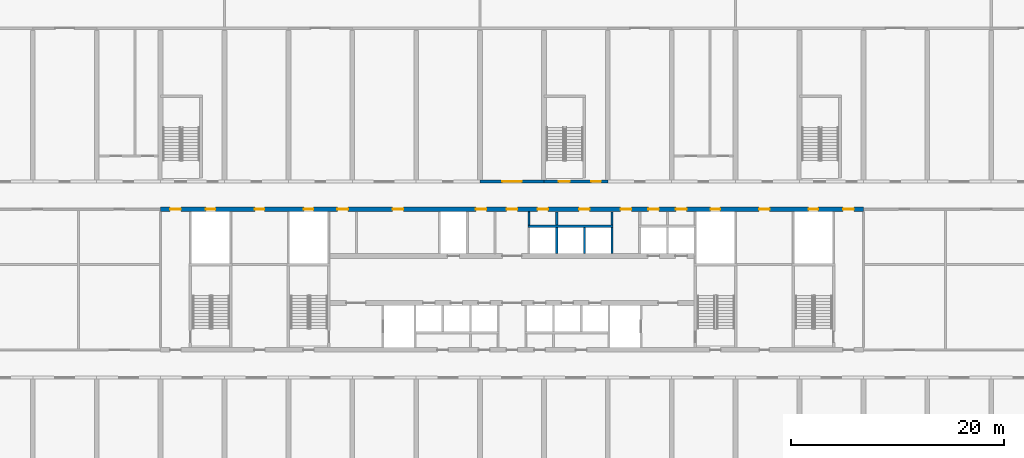
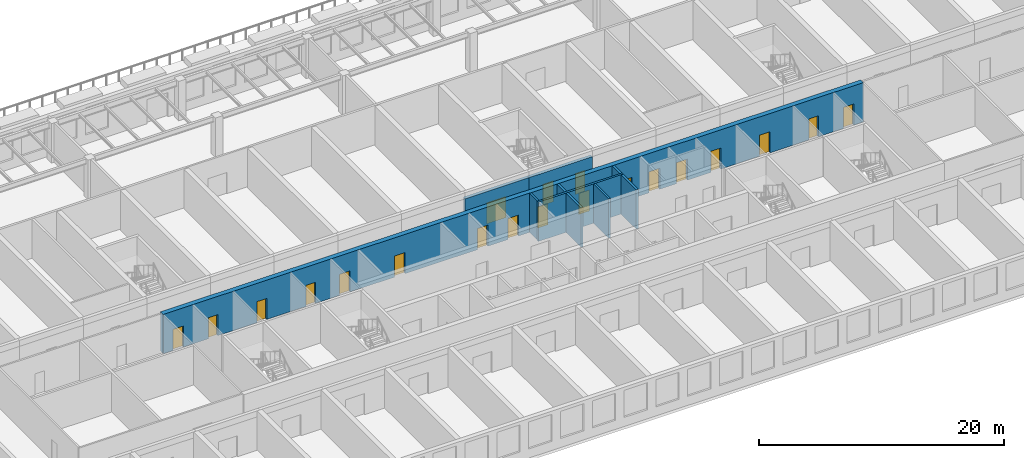
# One storey, part 7 of 16: 20 doors, 10 walls, 20 openings.
"""IFC4 building model written with IfcOpenShell, lengths in metres."""

from ifc_helpers import new_model, si_unit, direction, frame, frame_2d, origin, place, context, subcontext, project, spatial, rectangle, extrude, material, layer, layer_set, type_object, element, fill, save


model = new_model("IFC4")

# Units and contexts
model_context = context("Model", 3, precision=1e-05, world=origin(), true_north=direction((0.0, 1.0)))
body_context = subcontext(model_context, "Body", "Model", "MODEL_VIEW")
ifc_project = project(units=[si_unit("LENGTHUNIT", "METRE"), si_unit("AREAUNIT", "SQUARE_METRE"), si_unit("VOLUMEUNIT", "CUBIC_METRE"), si_unit("PLANEANGLEUNIT", "RADIAN"), si_unit("MASSUNIT", "GRAM", prefix="KILO")], contexts=[model_context])

# Site, building, storey
site_placement = place(None, origin())
site = spatial("IfcSite", under=ifc_project, at=site_placement, CompositionType="ELEMENT")
building_placement = place(site_placement, origin())
building = spatial("IfcBuilding", under=site, at=building_placement, Name="Poui Terraces", CompositionType="ELEMENT")
storey_placement = place(building_placement, frame((0.0, 0.0, 15.0)))
storey = spatial("IfcBuildingStorey", under=building, at=storey_placement, Name="L03", CompositionType="ELEMENT", Elevation=15.0)

# Wall
ifc_material_1 = material(Name="Fire-rated plasterboard wall")
ifc_layer_1 = layer(ifc_material_1, 0.14990234375)
ifc_layer_set_1 = layer_set([ifc_layer_1], Name="Fire-rated plasterboard wall")
wall_type_1 = type_object("IfcWallType", Name="CORRIDOR WALL 150", PredefinedType="PARTITIONING", material=ifc_layer_set_1)
wall_1_placement = place(storey_placement, frame((52.60009765625, 26.300048828125, 0.0), z_axis=(0.0, 0.0, 1.0), x_axis=(0.0, 1.0, 0.0)))
element("IfcWall", 1, at=wall_1_placement, inside=storey, type_object=wall_type_1, Name="CORRIDOR WALL 150", PredefinedType="PARTITIONING", context=body_context, shape_type="SweptSolid", body=[
    extrude(rectangle(XDim=1.264892578125, YDim=0.14990234375, at=frame_2d((0.63232421875, 0.0))), origin(), (0.0, 0.0, 1.0), 3.919921875),
])

# Wall, opening, door
ifc_material_2 = material(Name="Concrete 80 MPa", Category="concrete")
ifc_layer_2 = layer(ifc_material_2, 0.300048828125)
ifc_layer_set_2 = layer_set([ifc_layer_2], Name="Concrete 80 MPa")
wall_type_2 = type_object("IfcWallType", Name="CORRIDOR WALL 300 80MPa", PredefinedType="SHEAR", material=ifc_layer_set_2)
wall_2_placement = place(storey_placement, frame((48.0, 30.39990234375, 0.0), z_axis=(0.0, 0.0, 1.0), x_axis=(1.0, 0.0, 0.0)))
wall_2 = element("IfcWall", 2, at=wall_2_placement, inside=storey, type_object=wall_type_2, Name="CORRIDOR WALL LINE E BAY 9", PredefinedType="SHEAR", context=body_context, shape_type="SweptSolid", body=[
    extrude(rectangle(XDim=6.0, YDim=0.300048828125, at=frame_2d((3.0, 0.0))), origin(), (0.0, 0.0, 1.0), 3.320068359375),
])
opening_1_placement = place(wall_2_placement, frame((2.10009765625, 0.0, 0.0)))
opening_1 = element("IfcOpeningElement", 3, at=opening_1_placement, cuts=wall_2, Name="Opening DD180", PredefinedType="OPENING", context=body_context, shape_type="SweptSolid", body=[
    extrude(rectangle(XDim=1.800048828125, YDim=2.10009765625, at=frame_2d((0.89990234375, 1.050048828125))), frame((0.0, 0.16015625, 0.0), z_axis=(0.0, -1.0, 0.0), x_axis=(1.0, 0.0, 0.0)), (0.0, 0.0, 1.0), 0.320068359375),
])
ifc_material_3 = material(Name="Steel fire door", Category="steel")
door_type_1 = type_object("IfcDoorType", Name="DOUBLE INTERNAL DOOR 1800 X 2100", OperationType="DOUBLE_DOOR_SINGLE_SWING", PredefinedType="DOOR", material=ifc_material_3)
door_1_placement = place(opening_1_placement, frame((1.800048828125, 0.0, 0.0), z_axis=(0.0, 0.0, 1.0), x_axis=(-1.0, 0.0, 0.0)))
door_1 = element("IfcDoor", 4, at=door_1_placement, inside=storey, type_object=door_type_1, Name="DOUBLE INTERNAL DOOR 021", OperationType="DOUBLE_DOOR_SINGLE_SWING", OverallHeight=2.10009765625, OverallWidth=1.800048828125, PredefinedType="DOOR", context=body_context, shape_type="SweptSolid", body=[
    extrude(rectangle(XDim=1.800048828125, YDim=2.10009765625, at=frame_2d((0.89990234375, 1.050048828125))), frame((0.0, 0.02490234375, 0.0), z_axis=(0.0, -1.0, 0.0), x_axis=(1.0, 0.0, 0.0)), (0.0, 0.0, 1.0), 0.050048828125),
])
fill(opening_1, door_1)

# Wall, openings, doors
wall_3_placement = place(storey_placement, frame((54.0, 30.39990234375, 0.0), z_axis=(0.0, 0.0, 1.0), x_axis=(1.0, 0.0, 0.0)))
wall_3 = element("IfcWall", 5, at=wall_3_placement, inside=storey, type_object=wall_type_2, Name="CORRIDOR WALL LINE E BAY 10", PredefinedType="SHEAR", context=body_context, shape_type="SweptSolid", body=[
    extrude(rectangle(XDim=6.0, YDim=0.300048828125, at=frame_2d((3.0, 0.0))), origin(), (0.0, 0.0, 1.0), 3.320068359375),
])
opening_2_placement = place(wall_3_placement, frame((1.39990234375, 0.0, 0.0)))
opening_2 = element("IfcOpeningElement", 6, at=opening_2_placement, cuts=wall_3, Name="Opening FD60S", PredefinedType="OPENING", context=body_context, shape_type="SweptSolid", body=[
    extrude(rectangle(XDim=1.0, YDim=2.10009765625, at=frame_2d((0.5, 1.050048828125))), frame((0.0, 0.16015625, 0.0), z_axis=(0.0, -1.0, 0.0), x_axis=(1.0, 0.0, 0.0)), (0.0, 0.0, 1.0), 0.320068359375),
])
opening_3_placement = place(wall_3_placement, frame((4.449951171875, 0.0, 0.0)))
opening_3 = element("IfcOpeningElement", 7, at=opening_3_placement, cuts=wall_3, Name="Opening D90", PredefinedType="OPENING", context=body_context, shape_type="SweptSolid", body=[
    extrude(rectangle(XDim=0.89990234375, YDim=2.10009765625, at=frame_2d((0.449951171875, 1.050048828125))), frame((0.0, 0.16015625, 0.0), z_axis=(0.0, -1.0, 0.0), x_axis=(1.0, 0.0, 0.0)), (0.0, 0.0, 1.0), 0.320068359375),
])
ifc_material_4 = material(Name="Solid core timber door", Category="wood")
door_type_2 = type_object("IfcDoorType", Name="INTERNAL DOOR 900 X 2100", OperationType="NOTDEFINED", PredefinedType="DOOR", material=ifc_material_4)
door_2_placement = place(opening_3_placement, frame((0.89990234375, 0.0, 0.0), z_axis=(0.0, 0.0, 1.0), x_axis=(-1.0, 0.0, 0.0)))
door_2 = element("IfcDoor", 8, at=door_2_placement, inside=storey, type_object=door_type_2, Name="INTERNAL DOOR 025", OperationType="SINGLE_SWING_LEFT", OverallHeight=2.10009765625, OverallWidth=0.89990234375, PredefinedType="DOOR", context=body_context, shape_type="SweptSolid", body=[
    extrude(rectangle(XDim=0.89990234375, YDim=2.10009765625, at=frame_2d((0.449951171875, 1.050048828125))), frame((0.0, 0.02490234375, 0.0), z_axis=(0.0, -1.0, 0.0), x_axis=(1.0, 0.0, 0.0)), (0.0, 0.0, 1.0), 0.050048828125),
])
fill(opening_3, door_2)
door_type_3 = type_object("IfcDoorType", Name="STAIR DOOR 1000 X 2100", OperationType="NOTDEFINED", PredefinedType="DOOR", material=ifc_material_3)
door_3_placement = place(opening_2_placement, origin())
door_3 = element("IfcDoor", 9, at=door_3_placement, inside=storey, type_object=door_type_3, Name="STAIR DOOR 023", OperationType="SINGLE_SWING_LEFT", OverallHeight=2.10009765625, OverallWidth=1.0, PredefinedType="DOOR", context=body_context, shape_type="SweptSolid", body=[
    extrude(rectangle(XDim=1.0, YDim=2.10009765625, at=frame_2d((0.5, 1.050048828125))), frame((0.0, 0.02490234375, 0.0), z_axis=(0.0, -1.0, 0.0), x_axis=(1.0, 0.0, 0.0)), (0.0, 0.0, 1.0), 0.050048828125),
])
fill(opening_2, door_3)

# Walls
ifc_material_5 = material(Name="Fire-rated masonry wall", Category="masonry")
ifc_layer_3 = layer(ifc_material_5, 0.199951171875)
ifc_layer_set_3 = layer_set([ifc_layer_3], Name="Fire-rated masonry wall")
wall_type_3 = type_object("IfcWallType", Name="PLANT ROOM WALL 200", PredefinedType="PARTITIONING", material=ifc_layer_set_3)
for number, where, z_axis, x_axis, name in (
    (10, (55.199951171875, 26.300048828125, 0.0), (0.0, 0.0, 1.0), (0.0, 1.0, 0.0), "PLANT ROOM WALL 200"),
    (11, (60.39990234375, 26.300048828125, 0.0), (0.0, 0.0, 1.0), (0.0, 1.0, 0.0), "PLANT ROOM WALL 200"),
):
    element("IfcWall", number, at=place(storey_placement, frame(where, z_axis=z_axis, x_axis=x_axis)), inside=storey, type_object=wall_type_3, Name=name, PredefinedType="PARTITIONING", context=body_context, shape_type="SweptSolid", body=[
        extrude(rectangle(XDim=1.264892578125, YDim=0.199951171875, at=frame_2d((0.63232421875, 0.0))), origin(), (0.0, 0.0, 1.0), 3.919921875),
    ])
ifc_material_6 = material(Name="Fire-rated masonry shaft wall", Category="masonry")
ifc_layer_4 = layer(ifc_material_6, 0.199951171875)
ifc_layer_set_4 = layer_set([ifc_layer_4], Name="Fire-rated masonry shaft wall")
wall_type_4 = type_object("IfcWallType", Name="SHAFT WALL 200", PredefinedType="PARTITIONING", material=ifc_layer_set_4)
wall_4_placement = place(storey_placement, frame((52.5, 26.199951171875, 0.0), z_axis=(0.0, 0.0, 1.0), x_axis=(1.0, 0.0, 0.0)))
element("IfcWall", 12, at=wall_4_placement, inside=storey, type_object=wall_type_4, Name="SHAFT WALL 200", PredefinedType="PARTITIONING", context=body_context, shape_type="SweptSolid", body=[
    extrude(rectangle(XDim=8.0, YDim=0.199951171875, at=frame_2d((4.0, 0.0))), origin(), (0.0, 0.0, 1.0), 3.919921875),
])
for number, where, z_axis, x_axis, name in (
    (13, (55.199951171875, 23.635009765625, 0.0), (0.0, 0.0, 1.0), (0.0, 1.0, 0.0), "SHAFT WALL 200"),
    (14, (57.800048828125, 23.635009765625, 0.0), (0.0, 0.0, 1.0), (0.0, 1.0, 0.0), "SHAFT WALL 200"),
    (15, (60.39990234375, 23.635009765625, 0.0), (0.0, 0.0, 1.0), (0.0, 1.0, 0.0), "SHAFT WALL 200"),
):
    element("IfcWall", number, at=place(storey_placement, frame(where, z_axis=z_axis, x_axis=x_axis)), inside=storey, type_object=wall_type_4, Name=name, PredefinedType="PARTITIONING", context=body_context, shape_type="SweptSolid", body=[
        extrude(rectangle(XDim=2.465087890625, YDim=0.199951171875, at=frame_2d((1.232421875, 0.0))), origin(), (0.0, 0.0, 1.0), 3.919921875),
    ])

# Wall, openings, doors
ifc_layer_5 = layer(ifc_material_2, 0.449951171875)
ifc_layer_set_5 = layer_set([ifc_layer_5], Name="Concrete 80 MPa")
wall_type_5 = type_object("IfcWallType", Name="SPINE WALL 450 80 MPA", PredefinedType="SOLIDWALL", material=ifc_layer_set_5)
wall_5_placement = place(storey_placement, frame((18.0, 27.800048828125, 0.0), z_axis=(0.0, 0.0, 1.0), x_axis=(1.0, 0.0, 0.0)))
wall_5 = element("IfcWall", 16, at=wall_5_placement, inside=storey, type_object=wall_type_5, Name="SPINE WALL", PredefinedType="SOLIDWALL", context=body_context, shape_type="SweptSolid", body=[
    extrude(rectangle(XDim=66.0, YDim=0.449951171875, at=frame_2d((33.0, 0.0))), origin(), (0.0, 0.0, 1.0), 3.919921875),
])
opening_4_placement = place(wall_5_placement, frame((0.89990234375, 0.0, 0.0)))
opening_4 = element("IfcOpeningElement", 17, at=opening_4_placement, cuts=wall_5, Name="Opening FDL", PredefinedType="OPENING", context=body_context, shape_type="SweptSolid", body=[
    extrude(rectangle(XDim=1.0, YDim=2.10009765625, at=frame_2d((0.5, 1.050048828125))), frame((0.0, 0.23486328125, 0.0), z_axis=(0.0, -1.0, 0.0), x_axis=(1.0, 0.0, 0.0)), (0.0, 0.0, 1.0), 0.469970703125),
])
opening_5_placement = place(wall_5_placement, frame((4.25, 0.0, 0.0)))
opening_5 = element("IfcOpeningElement", 18, at=opening_5_placement, cuts=wall_5, Name="Opening FDR", PredefinedType="OPENING", context=body_context, shape_type="SweptSolid", body=[
    extrude(rectangle(XDim=0.89990234375, YDim=2.10009765625, at=frame_2d((0.449951171875, 1.050048828125))), frame((0.0, 0.23486328125, 0.0), z_axis=(0.0, -1.0, 0.0), x_axis=(1.0, 0.0, 0.0)), (0.0, 0.0, 1.0), 0.469970703125),
])
opening_6_placement = place(wall_5_placement, frame((8.85009765625, 0.0, 0.0)))
opening_6 = element("IfcOpeningElement", 19, at=opening_6_placement, cuts=wall_5, Name="Opening D90", PredefinedType="OPENING", context=body_context, shape_type="SweptSolid", body=[
    extrude(rectangle(XDim=0.89990234375, YDim=2.10009765625, at=frame_2d((0.449951171875, 1.050048828125))), frame((0.0, 0.23486328125, 0.0), z_axis=(0.0, -1.0, 0.0), x_axis=(1.0, 0.0, 0.0)), (0.0, 0.0, 1.0), 0.469970703125),
])
opening_7_placement = place(wall_5_placement, frame((13.449951171875, 0.0, 0.0)))
opening_7 = element("IfcOpeningElement", 20, at=opening_7_placement, cuts=wall_5, Name="Opening FDR", PredefinedType="OPENING", context=body_context, shape_type="SweptSolid", body=[
    extrude(rectangle(XDim=0.89990234375, YDim=2.10009765625, at=frame_2d((0.449951171875, 1.050048828125))), frame((0.0, 0.23486328125, 0.0), z_axis=(0.0, -1.0, 0.0), x_axis=(1.0, 0.0, 0.0)), (0.0, 0.0, 1.0), 0.469970703125),
])
opening_8_placement = place(wall_5_placement, frame((16.60009765625, 0.0, 0.0)))
opening_8 = element("IfcOpeningElement", 21, at=opening_8_placement, cuts=wall_5, Name="Opening FD60", PredefinedType="OPENING", context=body_context, shape_type="SweptSolid", body=[
    extrude(rectangle(XDim=1.0, YDim=2.10009765625, at=frame_2d((0.5, 1.050048828125))), frame((0.0, 0.23486328125, 0.0), z_axis=(0.0, -1.0, 0.0), x_axis=(1.0, 0.0, 0.0)), (0.0, 0.0, 1.0), 0.469970703125),
])
opening_9_placement = place(wall_5_placement, frame((21.800048828125, 0.0, 0.0)))
opening_9 = element("IfcOpeningElement", 22, at=opening_9_placement, cuts=wall_5, Name="Opening FD60", PredefinedType="OPENING", context=body_context, shape_type="SweptSolid", body=[
    extrude(rectangle(XDim=1.0, YDim=2.10009765625, at=frame_2d((0.5, 1.050048828125))), frame((0.0, 0.23486328125, 0.0), z_axis=(0.0, -1.0, 0.0), x_axis=(1.0, 0.0, 0.0)), (0.0, 0.0, 1.0), 0.469970703125),
])
opening_10_placement = place(wall_5_placement, frame((29.60009765625, 0.0, 0.0)))
opening_10 = element("IfcOpeningElement", 23, at=opening_10_placement, cuts=wall_5, Name="Opening FD60", PredefinedType="OPENING", context=body_context, shape_type="SweptSolid", body=[
    extrude(rectangle(XDim=1.0, YDim=2.10009765625, at=frame_2d((0.5, 1.050048828125))), frame((0.0, 0.23486328125, 0.0), z_axis=(0.0, -1.0, 0.0), x_axis=(1.0, 0.0, 0.0)), (0.0, 0.0, 1.0), 0.469970703125),
])
opening_11_placement = place(wall_5_placement, frame((32.5, 0.0, 0.0)))
opening_11 = element("IfcOpeningElement", 24, at=opening_11_placement, cuts=wall_5, Name="Opening FDL", PredefinedType="OPENING", context=body_context, shape_type="SweptSolid", body=[
    extrude(rectangle(XDim=1.0, YDim=2.10009765625, at=frame_2d((0.5, 1.050048828125))), frame((0.0, 0.23486328125, 0.0), z_axis=(0.0, -1.0, 0.0), x_axis=(1.0, 0.0, 0.0)), (0.0, 0.0, 1.0), 0.469970703125),
])
opening_12_placement = place(wall_5_placement, frame((35.39990234375, 0.0, 0.0)))
opening_12 = element("IfcOpeningElement", 25, at=opening_12_placement, cuts=wall_5, Name="Opening FD60", PredefinedType="OPENING", context=body_context, shape_type="SweptSolid", body=[
    extrude(rectangle(XDim=1.0, YDim=2.10009765625, at=frame_2d((0.5, 1.050048828125))), frame((0.0, 0.23486328125, 0.0), z_axis=(0.0, -1.0, 0.0), x_axis=(1.0, 0.0, 0.0)), (0.0, 0.0, 1.0), 0.469970703125),
])
opening_13_placement = place(wall_5_placement, frame((39.300048828125, 0.0, 0.0)))
opening_13 = element("IfcOpeningElement", 26, at=opening_13_placement, cuts=wall_5, Name="Opening FD60", PredefinedType="OPENING", context=body_context, shape_type="SweptSolid", body=[
    extrude(rectangle(XDim=1.0, YDim=2.10009765625, at=frame_2d((0.5, 1.050048828125))), frame((0.0, 0.23486328125, 0.0), z_axis=(0.0, -1.0, 0.0), x_axis=(1.0, 0.0, 0.0)), (0.0, 0.0, 1.0), 0.469970703125),
])
opening_14_placement = place(wall_5_placement, frame((43.199951171875, 0.0, 0.0)))
opening_14 = element("IfcOpeningElement", 27, at=opening_14_placement, cuts=wall_5, Name="Opening FD60", PredefinedType="OPENING", context=body_context, shape_type="SweptSolid", body=[
    extrude(rectangle(XDim=1.0, YDim=2.10009765625, at=frame_2d((0.5, 1.050048828125))), frame((0.0, 0.23486328125, 0.0), z_axis=(0.0, -1.0, 0.0), x_axis=(1.0, 0.0, 0.0)), (0.0, 0.0, 1.0), 0.469970703125),
])
opening_15_placement = place(wall_5_placement, frame((45.800048828125, 0.0, 0.0)))
opening_15 = element("IfcOpeningElement", 28, at=opening_15_placement, cuts=wall_5, Name="Opening FD60", PredefinedType="OPENING", context=body_context, shape_type="SweptSolid", body=[
    extrude(rectangle(XDim=1.0, YDim=2.10009765625, at=frame_2d((0.5, 1.050048828125))), frame((0.0, 0.23486328125, 0.0), z_axis=(0.0, -1.0, 0.0), x_axis=(1.0, 0.0, 0.0)), (0.0, 0.0, 1.0), 0.469970703125),
])
opening_16_placement = place(wall_5_placement, frame((48.39990234375, 0.0, 0.0)))
opening_16 = element("IfcOpeningElement", 29, at=opening_16_placement, cuts=wall_5, Name="Opening FD60", PredefinedType="OPENING", context=body_context, shape_type="SweptSolid", body=[
    extrude(rectangle(XDim=1.0, YDim=2.10009765625, at=frame_2d((0.5, 1.050048828125))), frame((0.0, 0.23486328125, 0.0), z_axis=(0.0, -1.0, 0.0), x_axis=(1.0, 0.0, 0.0)), (0.0, 0.0, 1.0), 0.469970703125),
])
opening_17_placement = place(wall_5_placement, frame((51.64990234375, 0.0, 0.0)))
opening_17 = element("IfcOpeningElement", 30, at=opening_17_placement, cuts=wall_5, Name="Opening FDR", PredefinedType="OPENING", context=body_context, shape_type="SweptSolid", body=[
    extrude(rectangle(XDim=0.89990234375, YDim=2.10009765625, at=frame_2d((0.449951171875, 1.050048828125))), frame((0.0, 0.23486328125, 0.0), z_axis=(0.0, -1.0, 0.0), x_axis=(1.0, 0.0, 0.0)), (0.0, 0.0, 1.0), 0.469970703125),
])
opening_18_placement = place(wall_5_placement, frame((56.199951171875, 0.0, 0.0)))
opening_18 = element("IfcOpeningElement", 31, at=opening_18_placement, cuts=wall_5, Name="Opening D100", PredefinedType="OPENING", context=body_context, shape_type="SweptSolid", body=[
    extrude(rectangle(XDim=1.0, YDim=2.10009765625, at=frame_2d((0.5, 1.050048828125))), frame((0.0, 0.23486328125, 0.0), z_axis=(0.0, -1.0, 0.0), x_axis=(1.0, 0.0, 0.0)), (0.0, 0.0, 1.0), 0.469970703125),
])
opening_19_placement = place(wall_5_placement, frame((60.85009765625, 0.0, 0.0)))
opening_19 = element("IfcOpeningElement", 32, at=opening_19_placement, cuts=wall_5, Name="Opening FDR", PredefinedType="OPENING", context=body_context, shape_type="SweptSolid", body=[
    extrude(rectangle(XDim=0.89990234375, YDim=2.10009765625, at=frame_2d((0.449951171875, 1.050048828125))), frame((0.0, 0.23486328125, 0.0), z_axis=(0.0, -1.0, 0.0), x_axis=(1.0, 0.0, 0.0)), (0.0, 0.0, 1.0), 0.469970703125),
])
opening_20_placement = place(wall_5_placement, frame((64.10009765625, 0.0, 0.0)))
opening_20 = element("IfcOpeningElement", 33, at=opening_20_placement, cuts=wall_5, Name="Opening FDL", PredefinedType="OPENING", context=body_context, shape_type="SweptSolid", body=[
    extrude(rectangle(XDim=1.0, YDim=2.10009765625, at=frame_2d((0.5, 1.050048828125))), frame((0.0, 0.23486328125, 0.0), z_axis=(0.0, -1.0, 0.0), x_axis=(1.0, 0.0, 0.0)), (0.0, 0.0, 1.0), 0.469970703125),
])
door_type_4 = type_object("IfcDoorType", Name="ACCESSIBLE INTERNAL DOOR 1000 X 2100", OperationType="NOTDEFINED", PredefinedType="DOOR", material=ifc_material_4)
door_4_placement = place(opening_18_placement, origin())
door_4 = element("IfcDoor", 34, at=door_4_placement, inside=storey, type_object=door_type_4, Name="ACCESSIBLE INTERNAL DOOR 032", OperationType="SINGLE_SWING_RIGHT", OverallHeight=2.10009765625, OverallWidth=1.0, PredefinedType="DOOR", context=body_context, shape_type="SweptSolid", body=[
    extrude(rectangle(XDim=1.0, YDim=2.10009765625, at=frame_2d((0.5, 1.050048828125))), frame((0.0, 0.02490234375, 0.0), z_axis=(0.0, -1.0, 0.0), x_axis=(1.0, 0.0, 0.0)), (0.0, 0.0, 1.0), 0.050048828125),
])
fill(opening_18, door_4)
door_5_placement = place(opening_6_placement, origin())
door_5 = element("IfcDoor", 35, at=door_5_placement, inside=storey, type_object=door_type_2, Name="INTERNAL DOOR 012", OperationType="SINGLE_SWING_RIGHT", OverallHeight=2.10009765625, OverallWidth=0.89990234375, PredefinedType="DOOR", context=body_context, shape_type="SweptSolid", body=[
    extrude(rectangle(XDim=0.89990234375, YDim=2.10009765625, at=frame_2d((0.449951171875, 1.050048828125))), frame((0.0, 0.02490234375, 0.0), z_axis=(0.0, -1.0, 0.0), x_axis=(1.0, 0.0, 0.0)), (0.0, 0.0, 1.0), 0.050048828125),
])
fill(opening_6, door_5)
door_type_5 = type_object("IfcDoorType", Name="LOBBY FIRE DOOR 1000 X 2100", OperationType="NOTDEFINED", PredefinedType="DOOR", material=ifc_material_3)
door_6_placement = place(opening_4_placement, origin())
door_6 = element("IfcDoor", 36, at=door_6_placement, inside=storey, type_object=door_type_5, Name="LOBBY FIRE DOOR 007", OperationType="SINGLE_SWING_LEFT", OverallHeight=2.10009765625, OverallWidth=1.0, PredefinedType="DOOR", context=body_context, shape_type="SweptSolid", body=[
    extrude(rectangle(XDim=1.0, YDim=2.10009765625, at=frame_2d((0.5, 1.050048828125))), frame((0.0, 0.02490234375, 0.0), z_axis=(0.0, -1.0, 0.0), x_axis=(1.0, 0.0, 0.0)), (0.0, 0.0, 1.0), 0.050048828125),
])
fill(opening_4, door_6)
door_7_placement = place(opening_11_placement, origin())
door_7 = element("IfcDoor", 37, at=door_7_placement, inside=storey, type_object=door_type_5, Name="LOBBY FIRE DOOR 020", OperationType="SINGLE_SWING_RIGHT", OverallHeight=2.10009765625, OverallWidth=1.0, PredefinedType="DOOR", context=body_context, shape_type="SweptSolid", body=[
    extrude(rectangle(XDim=1.0, YDim=2.10009765625, at=frame_2d((0.5, 1.050048828125))), frame((0.0, 0.02490234375, 0.0), z_axis=(0.0, -1.0, 0.0), x_axis=(1.0, 0.0, 0.0)), (0.0, 0.0, 1.0), 0.050048828125),
])
fill(opening_11, door_7)
door_8_placement = place(opening_20_placement, origin())
door_8 = element("IfcDoor", 38, at=door_8_placement, inside=storey, type_object=door_type_5, Name="LOBBY FIRE DOOR 036", OperationType="SINGLE_SWING_RIGHT", OverallHeight=2.10009765625, OverallWidth=1.0, PredefinedType="DOOR", context=body_context, shape_type="SweptSolid", body=[
    extrude(rectangle(XDim=1.0, YDim=2.10009765625, at=frame_2d((0.5, 1.050048828125))), frame((0.0, 0.02490234375, 0.0), z_axis=(0.0, -1.0, 0.0), x_axis=(1.0, 0.0, 0.0)), (0.0, 0.0, 1.0), 0.050048828125),
])
fill(opening_20, door_8)
door_type_6 = type_object("IfcDoorType", Name="RISER CUPBOARD DOOR 900 X 2100", OperationType="NOTDEFINED", PredefinedType="DOOR", material=ifc_material_3)
door_9_placement = place(opening_5_placement, origin())
door_9 = element("IfcDoor", 39, at=door_9_placement, inside=storey, type_object=door_type_6, Name="RISER CUPBOARD DOOR 009", OperationType="SINGLE_SWING_LEFT", OverallHeight=2.10009765625, OverallWidth=0.89990234375, PredefinedType="DOOR", context=body_context, shape_type="SweptSolid", body=[
    extrude(rectangle(XDim=0.89990234375, YDim=2.10009765625, at=frame_2d((0.449951171875, 1.050048828125))), frame((0.0, 0.02490234375, 0.0), z_axis=(0.0, -1.0, 0.0), x_axis=(1.0, 0.0, 0.0)), (0.0, 0.0, 1.0), 0.050048828125),
])
fill(opening_5, door_9)
door_10_placement = place(opening_7_placement, origin())
door_10 = element("IfcDoor", 40, at=door_10_placement, inside=storey, type_object=door_type_6, Name="RISER CUPBOARD DOOR 013", OperationType="SINGLE_SWING_LEFT", OverallHeight=2.10009765625, OverallWidth=0.89990234375, PredefinedType="DOOR", context=body_context, shape_type="SweptSolid", body=[
    extrude(rectangle(XDim=0.89990234375, YDim=2.10009765625, at=frame_2d((0.449951171875, 1.050048828125))), frame((0.0, 0.02490234375, 0.0), z_axis=(0.0, -1.0, 0.0), x_axis=(1.0, 0.0, 0.0)), (0.0, 0.0, 1.0), 0.050048828125),
])
fill(opening_7, door_10)
door_11_placement = place(opening_17_placement, origin())
door_11 = element("IfcDoor", 41, at=door_11_placement, inside=storey, type_object=door_type_6, Name="RISER CUPBOARD DOOR 031", OperationType="SINGLE_SWING_RIGHT", OverallHeight=2.10009765625, OverallWidth=0.89990234375, PredefinedType="DOOR", context=body_context, shape_type="SweptSolid", body=[
    extrude(rectangle(XDim=0.89990234375, YDim=2.10009765625, at=frame_2d((0.449951171875, 1.050048828125))), frame((0.0, 0.02490234375, 0.0), z_axis=(0.0, -1.0, 0.0), x_axis=(1.0, 0.0, 0.0)), (0.0, 0.0, 1.0), 0.050048828125),
])
fill(opening_17, door_11)
door_12_placement = place(opening_19_placement, origin())
door_12 = element("IfcDoor", 42, at=door_12_placement, inside=storey, type_object=door_type_6, Name="RISER CUPBOARD DOOR 034", OperationType="SINGLE_SWING_RIGHT", OverallHeight=2.10009765625, OverallWidth=0.89990234375, PredefinedType="DOOR", context=body_context, shape_type="SweptSolid", body=[
    extrude(rectangle(XDim=0.89990234375, YDim=2.10009765625, at=frame_2d((0.449951171875, 1.050048828125))), frame((0.0, 0.02490234375, 0.0), z_axis=(0.0, -1.0, 0.0), x_axis=(1.0, 0.0, 0.0)), (0.0, 0.0, 1.0), 0.050048828125),
])
fill(opening_19, door_12)
door_type_7 = type_object("IfcDoorType", Name="SERVICE ROOM FIRE DOOR 1000 X 2100", OperationType="NOTDEFINED", PredefinedType="DOOR", material=ifc_material_3)
door_13_placement = place(opening_8_placement, origin())
door_13 = element("IfcDoor", 43, at=door_13_placement, inside=storey, type_object=door_type_7, Name="SERVICE ROOM FIRE DOOR 015", OperationType="SINGLE_SWING_LEFT", OverallHeight=2.10009765625, OverallWidth=1.0, PredefinedType="DOOR", context=body_context, shape_type="SweptSolid", body=[
    extrude(rectangle(XDim=1.0, YDim=2.10009765625, at=frame_2d((0.5, 1.050048828125))), frame((0.0, 0.02490234375, 0.0), z_axis=(0.0, -1.0, 0.0), x_axis=(1.0, 0.0, 0.0)), (0.0, 0.0, 1.0), 0.050048828125),
])
fill(opening_8, door_13)
door_14_placement = place(opening_9_placement, origin())
door_14 = element("IfcDoor", 44, at=door_14_placement, inside=storey, type_object=door_type_7, Name="SERVICE ROOM FIRE DOOR 017", OperationType="SINGLE_SWING_RIGHT", OverallHeight=2.10009765625, OverallWidth=1.0, PredefinedType="DOOR", context=body_context, shape_type="SweptSolid", body=[
    extrude(rectangle(XDim=1.0, YDim=2.10009765625, at=frame_2d((0.5, 1.050048828125))), frame((0.0, 0.02490234375, 0.0), z_axis=(0.0, -1.0, 0.0), x_axis=(1.0, 0.0, 0.0)), (0.0, 0.0, 1.0), 0.050048828125),
])
fill(opening_9, door_14)
door_15_placement = place(opening_10_placement, origin())
door_15 = element("IfcDoor", 45, at=door_15_placement, inside=storey, type_object=door_type_7, Name="SERVICE ROOM FIRE DOOR 019", OperationType="SINGLE_SWING_LEFT", OverallHeight=2.10009765625, OverallWidth=1.0, PredefinedType="DOOR", context=body_context, shape_type="SweptSolid", body=[
    extrude(rectangle(XDim=1.0, YDim=2.10009765625, at=frame_2d((0.5, 1.050048828125))), frame((0.0, 0.02490234375, 0.0), z_axis=(0.0, -1.0, 0.0), x_axis=(1.0, 0.0, 0.0)), (0.0, 0.0, 1.0), 0.050048828125),
])
fill(opening_10, door_15)
door_16_placement = place(opening_12_placement, origin())
door_16 = element("IfcDoor", 46, at=door_16_placement, inside=storey, type_object=door_type_7, Name="SERVICE ROOM FIRE DOOR 022", OperationType="SINGLE_SWING_RIGHT", OverallHeight=2.10009765625, OverallWidth=1.0, PredefinedType="DOOR", context=body_context, shape_type="SweptSolid", body=[
    extrude(rectangle(XDim=1.0, YDim=2.10009765625, at=frame_2d((0.5, 1.050048828125))), frame((0.0, 0.02490234375, 0.0), z_axis=(0.0, -1.0, 0.0), x_axis=(1.0, 0.0, 0.0)), (0.0, 0.0, 1.0), 0.050048828125),
])
fill(opening_12, door_16)
door_17_placement = place(opening_13_placement, origin())
door_17 = element("IfcDoor", 47, at=door_17_placement, inside=storey, type_object=door_type_7, Name="SERVICE ROOM FIRE DOOR 024", OperationType="SINGLE_SWING_LEFT", OverallHeight=2.10009765625, OverallWidth=1.0, PredefinedType="DOOR", context=body_context, shape_type="SweptSolid", body=[
    extrude(rectangle(XDim=1.0, YDim=2.10009765625, at=frame_2d((0.5, 1.050048828125))), frame((0.0, 0.02490234375, 0.0), z_axis=(0.0, -1.0, 0.0), x_axis=(1.0, 0.0, 0.0)), (0.0, 0.0, 1.0), 0.050048828125),
])
fill(opening_13, door_17)
door_18_placement = place(opening_14_placement, origin())
door_18 = element("IfcDoor", 48, at=door_18_placement, inside=storey, type_object=door_type_7, Name="SERVICE ROOM FIRE DOOR 026", OperationType="SINGLE_SWING_RIGHT", OverallHeight=2.10009765625, OverallWidth=1.0, PredefinedType="DOOR", context=body_context, shape_type="SweptSolid", body=[
    extrude(rectangle(XDim=1.0, YDim=2.10009765625, at=frame_2d((0.5, 1.050048828125))), frame((0.0, 0.02490234375, 0.0), z_axis=(0.0, -1.0, 0.0), x_axis=(1.0, 0.0, 0.0)), (0.0, 0.0, 1.0), 0.050048828125),
])
fill(opening_14, door_18)
door_19_placement = place(opening_15_placement, origin())
door_19 = element("IfcDoor", 49, at=door_19_placement, inside=storey, type_object=door_type_7, Name="SERVICE ROOM FIRE DOOR 028", OperationType="SINGLE_SWING_LEFT", OverallHeight=2.10009765625, OverallWidth=1.0, PredefinedType="DOOR", context=body_context, shape_type="SweptSolid", body=[
    extrude(rectangle(XDim=1.0, YDim=2.10009765625, at=frame_2d((0.5, 1.050048828125))), frame((0.0, 0.02490234375, 0.0), z_axis=(0.0, -1.0, 0.0), x_axis=(1.0, 0.0, 0.0)), (0.0, 0.0, 1.0), 0.050048828125),
])
fill(opening_15, door_19)
door_20_placement = place(opening_16_placement, origin())
door_20 = element("IfcDoor", 50, at=door_20_placement, inside=storey, type_object=door_type_7, Name="SERVICE ROOM FIRE DOOR 029", OperationType="SINGLE_SWING_RIGHT", OverallHeight=2.10009765625, OverallWidth=1.0, PredefinedType="DOOR", context=body_context, shape_type="SweptSolid", body=[
    extrude(rectangle(XDim=1.0, YDim=2.10009765625, at=frame_2d((0.5, 1.050048828125))), frame((0.0, 0.02490234375, 0.0), z_axis=(0.0, -1.0, 0.0), x_axis=(1.0, 0.0, 0.0)), (0.0, 0.0, 1.0), 0.050048828125),
])
fill(opening_16, door_20)

save(model, "model.ifc")
